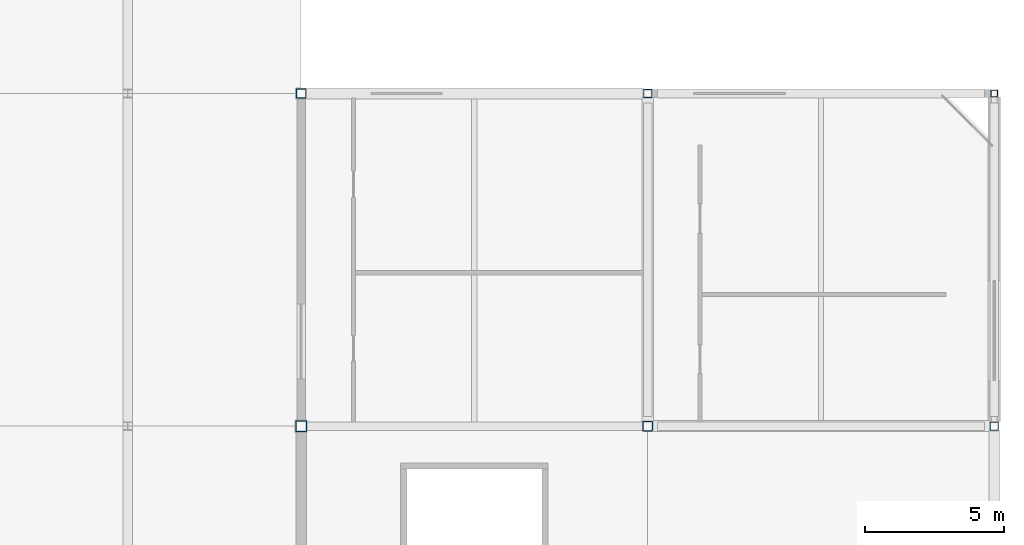
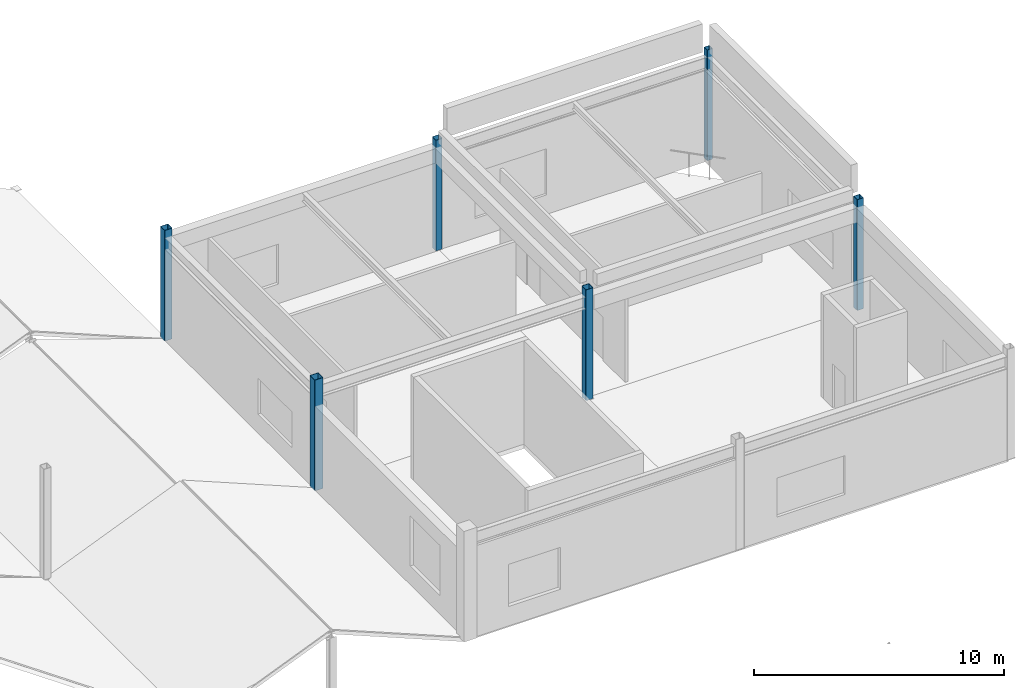
# One storey, part 24 of 76: 6 columns.
"""IFC4 building model written with IfcOpenShell, lengths in metres."""

from ifc_helpers import new_model, si_unit, direction, frame, origin, origin_2d, place, context, subcontext, project, spatial, hollow_rectangle, extrude, material, material_profile, profile_set, type_object, element, save


model = new_model("IFC4")

# Units and contexts
model_context = context("Model", 3, precision=1e-05, world=origin(), true_north=direction((0.0, 1.0)))
body_context = subcontext(model_context, "Body", "Model", "MODEL_VIEW")
ifc_project = project(units=[si_unit("LENGTHUNIT", "METRE"), si_unit("AREAUNIT", "SQUARE_METRE"), si_unit("VOLUMEUNIT", "CUBIC_METRE"), si_unit("PLANEANGLEUNIT", "RADIAN"), si_unit("MASSUNIT", "GRAM", prefix="KILO")], contexts=[model_context])

# Site, building, storey
site_placement = place(None, origin())
site = spatial("IfcSite", under=ifc_project, at=site_placement, CompositionType="ELEMENT")
building_placement = place(site_placement, origin())
building = spatial("IfcBuilding", under=site, at=building_placement, Name="Kazenohara Klinker Stadium", CompositionType="ELEMENT")
storey_placement = place(building_placement, frame((0.0, 0.0, 25.800048828125)))
storey = spatial("IfcBuildingStorey", under=building, at=storey_placement, Name="L05", CompositionType="ELEMENT", Elevation=25.800048828125)

# Columns
ifc_material = material(Name="Steel S355", Category="steel")
ifc_material_profile_1 = material_profile(ifc_material, hollow_rectangle(XDim=0.39990234375, YDim=0.39990234375, WallThickness=0.01611328125, InnerFilletRadius=0.01611328125, OuterFilletRadius=0.031982421875, at=origin_2d()), Name="SHS-400x400x16")
ifc_profile_set_1 = profile_set([ifc_material_profile_1], Name="Steel S355")
column_type_1 = type_object("IfcColumnType", Name="COL-ST01", PredefinedType="COLUMN", material=ifc_profile_set_1)
column_1_placement = place(storey_placement, frame((175.0, 144.0, 0.0), z_axis=(0.0, 0.0, 1.0), x_axis=(1.0, 0.0, 0.0)))
element("IfcColumn", 1, at=column_1_placement, inside=storey, type_object=column_type_1, Name="Column SC01 L05 15/N", PredefinedType="COLUMN", context=body_context, shape_type="SweptSolid", body=[
    extrude(hollow_rectangle(XDim=0.39990234375, YDim=0.39990234375, WallThickness=0.01611328125, InnerFilletRadius=0.01611328125, OuterFilletRadius=0.031982421875, at=origin_2d()), origin(), (0.0, 0.0, 1.0), 5.39990234375),
])
ifc_material_profile_2 = material_profile(ifc_material, hollow_rectangle(XDim=0.35009765625, YDim=0.35009765625, WallThickness=0.01611328125, InnerFilletRadius=0.01611328125, OuterFilletRadius=0.031982421875, at=origin_2d()), Name="SHS-350x350x16")
ifc_profile_set_2 = profile_set([ifc_material_profile_2], Name="Steel S355")
column_type_2 = type_object("IfcColumnType", Name="COL-ST02", PredefinedType="COLUMN", material=ifc_profile_set_2)
for number, where, z_axis, x_axis, name in (
    (2, (175.0, 156.0, 0.0), (0.0, 0.0, 1.0), (1.0, 0.0, 0.0), "Column SC02 L05 15/P"),
    (3, (187.5, 144.0, 0.0), (0.0, 0.0, 1.0), (1.0, 0.0, 0.0), "Column SC02 L05 16/N"),
):
    element("IfcColumn", number, at=place(storey_placement, frame(where, z_axis=z_axis, x_axis=x_axis)), inside=storey, type_object=column_type_2, Name=name, PredefinedType="COLUMN", context=body_context, shape_type="SweptSolid", body=[
        extrude(hollow_rectangle(XDim=0.35009765625, YDim=0.35009765625, WallThickness=0.01611328125, InnerFilletRadius=0.01611328125, OuterFilletRadius=0.031982421875, at=origin_2d()), origin(), (0.0, 0.0, 1.0), 5.39990234375),
    ])
ifc_material_profile_3 = material_profile(ifc_material, hollow_rectangle(XDim=0.300048828125, YDim=0.300048828125, WallThickness=0.011962890625, InnerFilletRadius=0.011962890625, OuterFilletRadius=0.02392578125, at=origin_2d()), Name="SHS-300x300x12")
ifc_profile_set_3 = profile_set([ifc_material_profile_3], Name="Steel S355")
column_type_3 = type_object("IfcColumnType", Name="COL-ST03", PredefinedType="COLUMN", material=ifc_profile_set_3)
for number, where, z_axis, x_axis, name in (
    (4, (187.5, 156.0, 0.0), (0.0, 0.0, 1.0), (1.0, 0.0, 0.0), "Column SC03 L05 16/P"),
    (5, (200.0, 144.0, 0.0), (0.0, 0.0, 1.0), (1.0, 0.0, 0.0), "Column SC03 L05 17/N"),
):
    element("IfcColumn", number, at=place(storey_placement, frame(where, z_axis=z_axis, x_axis=x_axis)), inside=storey, type_object=column_type_3, Name=name, PredefinedType="COLUMN", context=body_context, shape_type="SweptSolid", body=[
        extrude(hollow_rectangle(XDim=0.300048828125, YDim=0.300048828125, WallThickness=0.011962890625, InnerFilletRadius=0.011962890625, OuterFilletRadius=0.02392578125, at=origin_2d()), origin(), (0.0, 0.0, 1.0), 5.39990234375),
    ])
ifc_material_profile_4 = material_profile(ifc_material, hollow_rectangle(XDim=0.25, YDim=0.25, WallThickness=0.011962890625, InnerFilletRadius=0.011962890625, OuterFilletRadius=0.02392578125, at=origin_2d()), Name="SHS-250x250x12")
ifc_profile_set_4 = profile_set([ifc_material_profile_4], Name="Steel S355")
column_type_4 = type_object("IfcColumnType", Name="COL-ST04", PredefinedType="COLUMN", material=ifc_profile_set_4)
column_2_placement = place(storey_placement, frame((200.0, 156.0, 0.0), z_axis=(0.0, 0.0, 1.0), x_axis=(1.0, 0.0, 0.0)))
element("IfcColumn", 6, at=column_2_placement, inside=storey, type_object=column_type_4, Name="Column SC04 L05 17/P", PredefinedType="COLUMN", context=body_context, shape_type="SweptSolid", body=[
    extrude(hollow_rectangle(XDim=0.25, YDim=0.25, WallThickness=0.011962890625, InnerFilletRadius=0.011962890625, OuterFilletRadius=0.02392578125, at=origin_2d()), origin(), (0.0, 0.0, 1.0), 5.39990234375),
])

save(model, "model.ifc")
